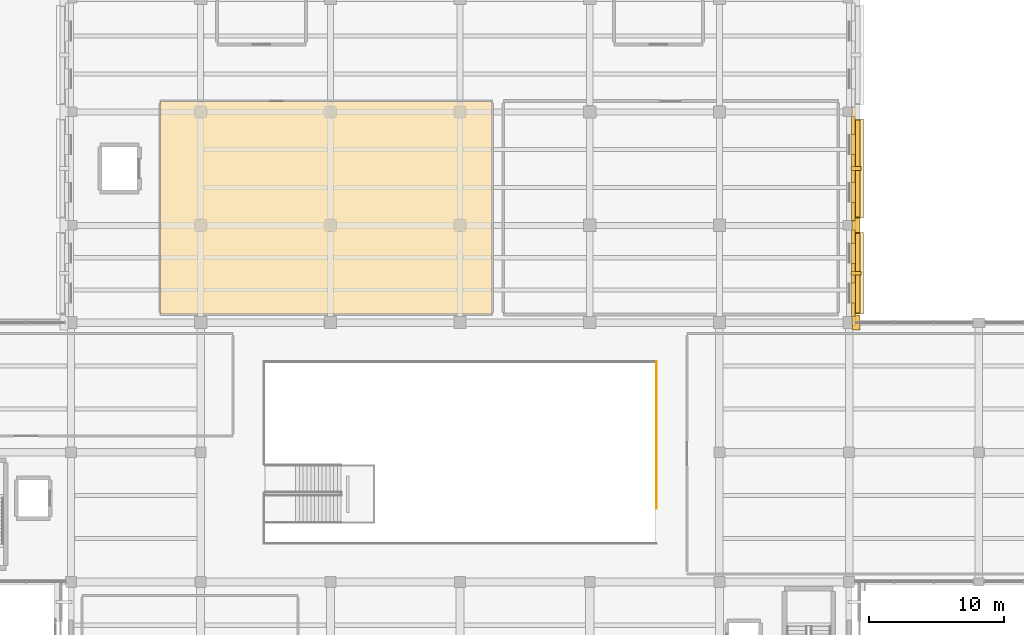
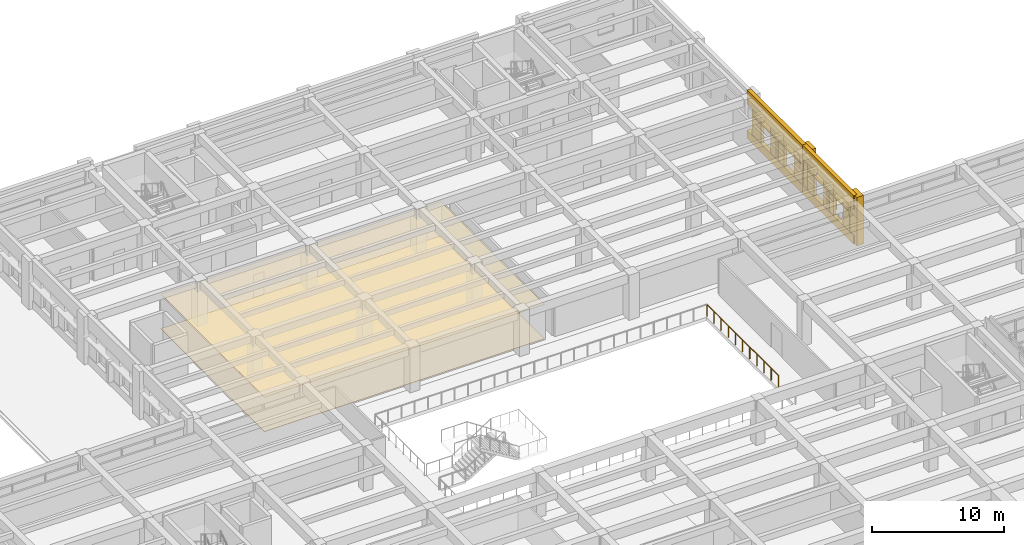
# One storey, part 45 of 49: 18 coverings, 2 shading devices, 1 railing.
"""IFC4 building model written with IfcOpenShell, lengths in metres."""

from ifc_helpers import new_model, si_unit, direction, frame, origin, origin_2d, place, context, subcontext, project, spatial, polyline, rectangle, circle, outline, extrude, material, layer, layer_set, type_object, element, save


model = new_model("IFC4")

# Units and contexts
model_context = context("Model", 3, precision=1e-05, world=origin(), true_north=direction((0.0, 1.0)))
body_context = subcontext(model_context, "Body", "Model", "MODEL_VIEW")
ifc_project = project(units=[si_unit("LENGTHUNIT", "METRE"), si_unit("AREAUNIT", "SQUARE_METRE"), si_unit("VOLUMEUNIT", "CUBIC_METRE"), si_unit("PLANEANGLEUNIT", "RADIAN"), si_unit("MASSUNIT", "GRAM", prefix="KILO")], contexts=[model_context])

# Site, building, storey
site_placement = place(None, origin())
site = spatial("IfcSite", under=ifc_project, at=site_placement, CompositionType="ELEMENT")
building_placement = place(site_placement, origin())
building = spatial("IfcBuilding", under=site, at=building_placement, Name="Bempovik Park Faculty of Sciences", CompositionType="ELEMENT")
storey_placement = place(building_placement, frame((0.0, 0.0, 5.39990234375)))
storey = spatial("IfcBuildingStorey", under=building, at=storey_placement, Name="L01", CompositionType="ELEMENT", Elevation=5.39990234375)

# Coverings
ifc_material_1 = material(Name="Acoustic mineral ceiling tile")
ifc_layer_1 = layer(ifc_material_1, 0.0400390625)
ifc_layer_set_1 = layer_set([ifc_layer_1], Name="Acoustic mineral ceiling tile")
covering_type_1 = type_object("IfcCoveringType", Name="CE-01 Acoustic Ceiling 40mm", PredefinedType="CEILING", material=ifc_layer_set_1)
covering_1_placement = place(storey_placement, frame((0.0, 0.0, 3.18017578125)))
element("IfcCovering", 1, at=covering_1_placement, inside=storey, type_object=covering_type_1, Name="L01 Chemistry Academic Staff Offices Acoustic Ceiling", PredefinedType="CEILING", context=body_context, shape_type="SweptSolid", body=[
    extrude(outline(polyline([(66.6298828125, 87.6298828125), (91.169921875, 87.6298828125), (91.169921875, 103.3701171875), (66.6298828125, 103.3701171875), (66.6298828125, 87.6298828125)])), origin(), (0.0, 0.0, 1.0), 0.0400390625),
])
ifc_material_2 = material(Name="Precast concrete C40/50", Category="concrete")
ifc_layer_2 = layer(ifc_material_2, 0.179931640625)
ifc_layer_set_2 = layer_set([ifc_layer_2], Name="Precast concrete C40/50")
covering_type_2 = type_object("IfcCoveringType", Name="CL-02 Classical Cornice Band 180mm", PredefinedType="CLADDING", material=ifc_layer_set_2)
covering_2_placement = place(storey_placement, frame((118.199951171875, 90.64990234375, 2.6103515625), z_axis=(0.0, 0.0, 1.0), x_axis=(1.0, 0.0, 0.0)))
element("IfcCovering", 2, at=covering_2_placement, inside=storey, type_object=covering_type_2, Name="L01 Classical Stone Solar Window Hood EW-L01-6725", PredefinedType="CLADDING", context=body_context, shape_type="SweptSolid", body=[
    extrude(rectangle(XDim=0.919921875, YDim=6.0458984375, at=origin_2d()), origin(), (0.0, 0.0, 1.0), 0.219970703125),
])
covering_3_placement = place(storey_placement, frame((118.199951171875, 98.39990234375, 2.6103515625), z_axis=(0.0, 0.0, 1.0), x_axis=(1.0, 0.0, 0.0)))
element("IfcCovering", 3, at=covering_3_placement, inside=storey, type_object=covering_type_2, Name="L01 Classical Stone Solar Window Hood EW-L01-6738", PredefinedType="CLADDING", context=body_context, shape_type="SweptSolid", body=[
    extrude(rectangle(XDim=0.919921875, YDim=7.345947265625, at=origin_2d()), origin(), (0.0, 0.0, 1.0), 0.219970703125),
])
ifc_material_3 = material(Name="White reconstituted limestone precast C40/50", Category="masonry")
ifc_layer_3 = layer(ifc_material_3, 0.239990234375)
ifc_layer_set_3 = layer_set([ifc_layer_3], Name="White reconstituted limestone precast C40/50")
covering_type_3 = type_object("IfcCoveringType", Name="CL-03 Classical Fluted Limestone Pilaster 240mm", PredefinedType="CLADDING", material=ifc_layer_set_3)
covering_4_placement = place(storey_placement, frame((117.909912109375, 90.64990234375, 3.22021484375), z_axis=(0.0, 0.0, 1.0), x_axis=(1.0, 0.0, 0.0)))
element("IfcCovering", 4, at=covering_4_placement, inside=storey, type_object=covering_type_3, Name="L01 Classical Limestone Spandrel Entablature EW-L01-6725", PredefinedType="CLADDING", context=body_context, shape_type="SweptSolid", body=[
    extrude(rectangle(XDim=0.340087890625, YDim=7.74609375, at=origin_2d()), origin(), (0.0, 0.0, 1.0), 1.280029296875),
])
covering_5_placement = place(storey_placement, frame((117.909912109375, 90.64990234375, 0.0), z_axis=(0.0, 0.0, 1.0), x_axis=(1.0, 0.0, 0.0)))
element("IfcCovering", 5, at=covering_5_placement, inside=storey, type_object=covering_type_3, Name="L01 Classical Limestone Sill Dado EW-L01-6725", PredefinedType="CLADDING", context=body_context, shape_type="SweptSolid", body=[
    extrude(rectangle(XDim=0.340087890625, YDim=7.74609375, at=origin_2d()), origin(), (0.0, 0.0, 1.0), 0.780029296875),
])
for number, where, z_axis, x_axis, name in (
    (6, (118.1298828125, 87.0, 0.0), (0.0, 0.0, 1.0), (1.0, 0.0, 0.0), "L01 Classical Fluted Stone Pilaster PIL-BA-L01-1181-870"),
    (7, (118.1298828125, 94.199951171875, 0.0), (0.0, 0.0, 1.0), (1.0, 0.0, 0.0), "L01 Classical Fluted Stone Pilaster PIL-BA-L01-1181-942"),
):
    element("IfcCovering", number, at=place(storey_placement, frame(where, z_axis=z_axis, x_axis=x_axis)), inside=storey, type_object=covering_type_3, Name=name, PredefinedType="CLADDING", context=body_context, shape_type="SweptSolid", body=[
        extrude(rectangle(XDim=0.580078125, YDim=1.10009765625, at=origin_2d()), origin(), (0.0, 0.0, 1.0), 4.5),
    ])
covering_6_placement = place(storey_placement, frame((117.89990234375, 87.9453125, 0.000244140625), z_axis=(0.0, 0.0, 1.0), x_axis=(1.0, 0.0, 0.0)))
element("IfcCovering", 8, at=covering_6_placement, inside=storey, type_object=covering_type_3, Name="L01 White Limestone Wall Cheek EW-L01-6725-0", PredefinedType="CLADDING", context=body_context, shape_type="SweptSolid", body=[
    extrude(rectangle(XDim=0.239990234375, YDim=0.98681640625, at=origin_2d()), origin(), (0.0, 0.0, 1.0), 3.3798828125),
])
covering_7_placement = place(storey_placement, frame((117.89990234375, 90.64990234375, 0.000244140625), z_axis=(0.0, 0.0, 1.0), x_axis=(1.0, 0.0, 0.0)))
element("IfcCovering", 9, at=covering_7_placement, inside=storey, type_object=covering_type_3, Name="L01 White Limestone Wall Cheek EW-L01-6725-2", PredefinedType="CLADDING", context=body_context, shape_type="SweptSolid", body=[
    extrude(rectangle(XDim=0.239990234375, YDim=1.462158203125, at=origin_2d()), origin(), (0.0, 0.0, 1.0), 3.3798828125),
])
covering_8_placement = place(storey_placement, frame((117.89990234375, 93.3544921875, 0.000244140625), z_axis=(0.0, 0.0, 1.0), x_axis=(1.0, 0.0, 0.0)))
element("IfcCovering", 10, at=covering_8_placement, inside=storey, type_object=covering_type_3, Name="L01 White Limestone Wall Cheek EW-L01-6725-4", PredefinedType="CLADDING", context=body_context, shape_type="SweptSolid", body=[
    extrude(rectangle(XDim=0.239990234375, YDim=0.98681640625, at=origin_2d()), origin(), (0.0, 0.0, 1.0), 3.3798828125),
])
covering_9_placement = place(storey_placement, frame((118.110107421875, 90.64990234375, 0.7001953125), z_axis=(0.0, 0.0, 1.0), x_axis=(1.0, 0.0, 0.0)))
element("IfcCovering", 11, at=covering_9_placement, inside=storey, type_object=covering_type_3, Name="L01 Classical Vertical Stone Shading Fin EW-L01-6725", PredefinedType="CLADDING", context=body_context, shape_type="SweptSolid", body=[
    extrude(rectangle(XDim=0.719970703125, YDim=0.280029296875, at=origin_2d()), origin(), (0.0, 0.0, 1.0), 1.949951171875),
])
covering_10_placement = place(storey_placement, frame((117.909912109375, 98.39990234375, 3.22021484375), z_axis=(0.0, 0.0, 1.0), x_axis=(1.0, 0.0, 0.0)))
element("IfcCovering", 12, at=covering_10_placement, inside=storey, type_object=covering_type_3, Name="L01 Classical Limestone Spandrel Entablature EW-L01-6738", PredefinedType="CLADDING", context=body_context, shape_type="SweptSolid", body=[
    extrude(rectangle(XDim=0.340087890625, YDim=9.0458984375, at=origin_2d()), origin(), (0.0, 0.0, 1.0), 1.280029296875),
])
covering_11_placement = place(storey_placement, frame((117.909912109375, 98.39990234375, 0.0), z_axis=(0.0, 0.0, 1.0), x_axis=(1.0, 0.0, 0.0)))
element("IfcCovering", 13, at=covering_11_placement, inside=storey, type_object=covering_type_3, Name="L01 Classical Limestone Sill Dado EW-L01-6738", PredefinedType="CLADDING", context=body_context, shape_type="SweptSolid", body=[
    extrude(rectangle(XDim=0.340087890625, YDim=9.0458984375, at=origin_2d()), origin(), (0.0, 0.0, 1.0), 0.780029296875),
])
covering_12_placement = place(storey_placement, frame((117.89990234375, 95.220947265625, 0.000244140625), z_axis=(0.0, 0.0, 1.0), x_axis=(1.0, 0.0, 0.0)))
element("IfcCovering", 14, at=covering_12_placement, inside=storey, type_object=covering_type_3, Name="L01 White Limestone Wall Cheek EW-L01-6738-0", PredefinedType="CLADDING", context=body_context, shape_type="SweptSolid", body=[
    extrude(rectangle(XDim=0.239990234375, YDim=1.337890625, at=origin_2d()), origin(), (0.0, 0.0, 1.0), 3.3798828125),
])
covering_13_placement = place(storey_placement, frame((117.89990234375, 98.39990234375, 0.000244140625), z_axis=(0.0, 0.0, 1.0), x_axis=(1.0, 0.0, 0.0)))
element("IfcCovering", 15, at=covering_13_placement, inside=storey, type_object=covering_type_3, Name="L01 White Limestone Wall Cheek EW-L01-6738-2", PredefinedType="CLADDING", context=body_context, shape_type="SweptSolid", body=[
    extrude(rectangle(XDim=0.239990234375, YDim=2.060302734375, at=origin_2d()), origin(), (0.0, 0.0, 1.0), 3.3798828125),
])
covering_14_placement = place(storey_placement, frame((117.89990234375, 101.5791015625, 0.000244140625), z_axis=(0.0, 0.0, 1.0), x_axis=(1.0, 0.0, 0.0)))
element("IfcCovering", 16, at=covering_14_placement, inside=storey, type_object=covering_type_3, Name="L01 White Limestone Wall Cheek EW-L01-6738-4", PredefinedType="CLADDING", context=body_context, shape_type="SweptSolid", body=[
    extrude(rectangle(XDim=0.239990234375, YDim=1.337890625, at=origin_2d()), origin(), (0.0, 0.0, 1.0), 3.3798828125),
])
covering_15_placement = place(storey_placement, frame((118.110107421875, 98.39990234375, 0.7001953125), z_axis=(0.0, 0.0, 1.0), x_axis=(1.0, 0.0, 0.0)))
element("IfcCovering", 17, at=covering_15_placement, inside=storey, type_object=covering_type_3, Name="L01 Classical Vertical Stone Shading Fin EW-L01-6738", PredefinedType="CLADDING", context=body_context, shape_type="SweptSolid", body=[
    extrude(rectangle(XDim=0.719970703125, YDim=0.280029296875, at=origin_2d()), origin(), (0.0, 0.0, 1.0), 1.949951171875),
])
ifc_material_4 = material(Name="Polished mineral terrazzo flooring")
ifc_layer_4 = layer(ifc_material_4, 0.030029296875)
ifc_layer_set_4 = layer_set([ifc_layer_4], Name="Polished mineral terrazzo flooring")
covering_type_4 = type_object("IfcCoveringType", Name="FL-01 Terrazzo Flooring 30mm", PredefinedType="FLOORING", material=ifc_layer_set_4)
covering_16_placement = place(storey_placement, origin())
element("IfcCovering", 18, at=covering_16_placement, inside=storey, type_object=covering_type_4, Name="L01 Chemistry Academic Staff Offices Terrazzo Flooring", PredefinedType="FLOORING", context=body_context, shape_type="SweptSolid", body=[
    extrude(outline(polyline([(66.6298828125, 87.6298828125), (91.169921875, 87.6298828125), (91.169921875, 103.3701171875), (66.6298828125, 103.3701171875), (66.6298828125, 87.6298828125)])), origin(), (0.0, 0.0, 1.0), 0.030029296875),
])

# Railing
ifc_material_5 = material(Name="Anodised architectural bronze")
railing_type = type_object("IfcRailingType", Name="GR-01 Guardrail 1120mm", PredefinedType="GUARDRAIL", material=ifc_material_5)
railing_placement = place(storey_placement, frame((103.35009765625, 73.25, 0.0)))
element("IfcRailing", 19, at=railing_placement, inside=storey, type_object=railing_type, Name="L01 Atrium Void East Guardrail", PredefinedType="GUARDRAIL", context=body_context, shape_type="SweptSolid", body=[
    extrude(circle(Radius=0.02392578125, at=origin_2d()), frame((0.0, 0.0, 1.09619140625), z_axis=(0.0, 1.0, 0.0), x_axis=(-1.0, 0.0, 0.0)), (0.0, 0.0, 1.0), 10.85009765625),
    extrude(circle(Radius=0.02099609375, at=origin_2d()), origin(), (0.0, 0.0, 1.0), 1.072021484375),
    extrude(circle(Radius=0.02099609375, at=origin_2d()), frame((0.0, 1.0849609375, 0.0)), (0.0, 0.0, 1.0), 1.072021484375),
    extrude(circle(Radius=0.02099609375, at=origin_2d()), frame((0.0, 2.169921875, 0.0)), (0.0, 0.0, 1.0), 1.072021484375),
    extrude(circle(Radius=0.02099609375, at=origin_2d()), frame((0.0, 3.255126953125, 0.0)), (0.0, 0.0, 1.0), 1.072021484375),
    extrude(circle(Radius=0.02099609375, at=origin_2d()), frame((0.0, 4.340087890625, 0.0)), (0.0, 0.0, 1.0), 1.072021484375),
    extrude(circle(Radius=0.02099609375, at=origin_2d()), frame((0.0, 5.425048828125, 0.0)), (0.0, 0.0, 1.0), 1.072021484375),
    extrude(circle(Radius=0.02099609375, at=origin_2d()), frame((0.0, 6.510009765625, 0.0)), (0.0, 0.0, 1.0), 1.072021484375),
    extrude(circle(Radius=0.02099609375, at=origin_2d()), frame((0.0, 7.594970703125, 0.0)), (0.0, 0.0, 1.0), 1.072021484375),
    extrude(circle(Radius=0.02099609375, at=origin_2d()), frame((0.0, 8.68017578125, 0.0)), (0.0, 0.0, 1.0), 1.072021484375),
    extrude(circle(Radius=0.02099609375, at=origin_2d()), frame((0.0, 9.76513671875, 0.0)), (0.0, 0.0, 1.0), 1.072021484375),
    extrude(circle(Radius=0.02099609375, at=origin_2d()), frame((0.0, 10.85009765625, 0.0)), (0.0, 0.0, 1.0), 1.072021484375),
])

# Shading devices
ifc_layer_5 = layer(ifc_material_5, 0.06005859375)
ifc_layer_set_5 = layer_set([ifc_layer_5], Name="Anodised architectural bronze")
shading_device_type = type_object("IfcShadingDeviceType", Name="SH-01 Bronze Brise-Soleil Fin", PredefinedType="USERDEFINED", material=ifc_layer_set_5)
shading_device_1_placement = place(storey_placement, frame((118.080078125, 90.64990234375, 2.550048828125), z_axis=(0.0, 0.0, 1.0), x_axis=(1.0, 0.0, 0.0)))
element("IfcShadingDevice", 20, at=shading_device_1_placement, inside=storey, type_object=shading_device_type, Name="L01 Equatorial Bronze Brise-Soleil EW-L01-6725", ObjectType="BRISE SOLEIL", PredefinedType="USERDEFINED", context=body_context, shape_type="SweptSolid", body=[
    extrude(rectangle(XDim=0.64990234375, YDim=5.89599609375, at=origin_2d()), origin(), (0.0, 0.0, 1.0), 0.06005859375),
])
shading_device_2_placement = place(storey_placement, frame((118.080078125, 98.39990234375, 2.550048828125), z_axis=(0.0, 0.0, 1.0), x_axis=(1.0, 0.0, 0.0)))
element("IfcShadingDevice", 21, at=shading_device_2_placement, inside=storey, type_object=shading_device_type, Name="L01 Equatorial Bronze Brise-Soleil EW-L01-6738", ObjectType="BRISE SOLEIL", PredefinedType="USERDEFINED", context=body_context, shape_type="SweptSolid", body=[
    extrude(rectangle(XDim=0.64990234375, YDim=7.196044921875, at=origin_2d()), origin(), (0.0, 0.0, 1.0), 0.06005859375),
])

save(model, "model.ifc")
